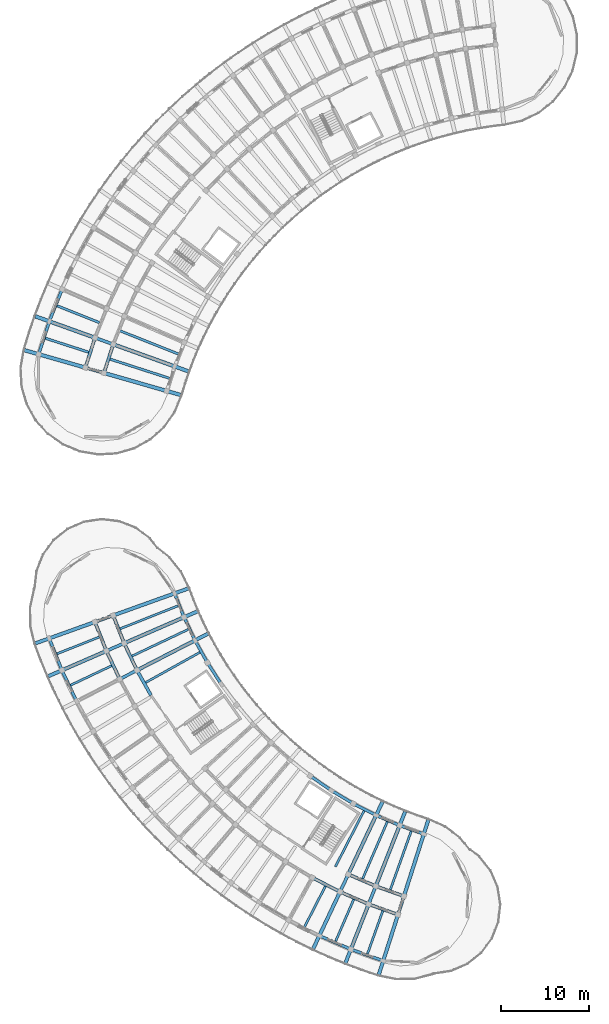
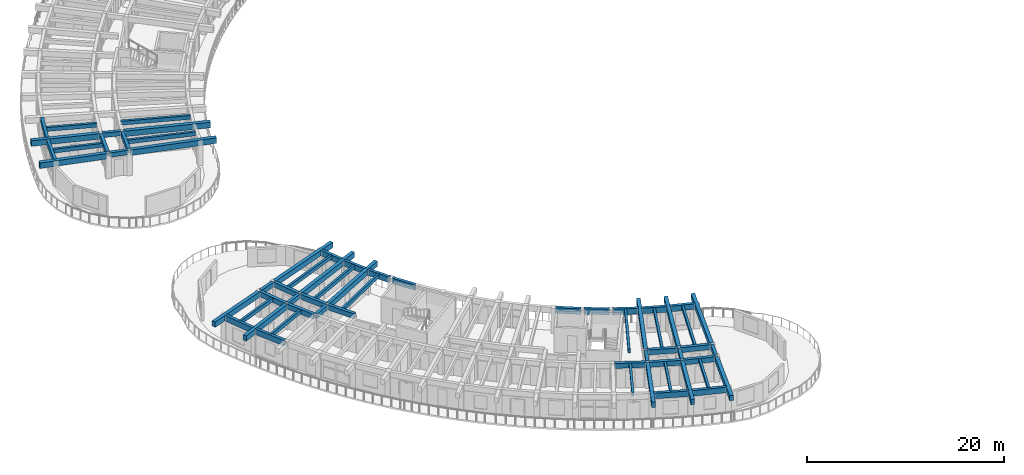
# One storey, part 8 of 78: 65 beams.
"""IFC4 building model written with IfcOpenShell, lengths in metres."""

import ifcopenshell
import ifcopenshell.guid

model = None  # the IFC model being written
_history = None  # IfcOwnerHistory: only IFC2X3 demands one
_inside = {}  # id of a spatial element -> (the spatial element, [elements in it])
_under = {}  # id of a project, library or spatial element -> (it, [spatial elements below it])
_declared = {}  # id of a project -> (the project, [libraries it declares])
_typed = {}  # id of a type object -> (the type object, [elements of that type])
_made_of = {}  # id of a material, layer set ... -> (it, [elements and type objects made of it])


def new_model(schema):
    """Start an empty IFC model of exactly this schema.

    Asked for "IFC4X3", IfcOpenShell would pick the latest addendum, in which some entities
    have other attributes; the version numbers below select the first issue.
    IFC2X3 requires an IfcOwnerHistory on every rooted entity: one is made here for all.
    """
    global model, _history
    if schema == "IFC4X3":
        model = ifcopenshell.file(schema_version=(4, 3, 0, 0))
    else:
        model = ifcopenshell.file(schema=schema)
    _inside.clear()
    _under.clear()
    _declared.clear()
    _typed.clear()
    _made_of.clear()
    _history = None
    if model.schema == "IFC2X3":
        org = make("IfcOrganization", Name="unknown")
        user = make(
            "IfcPersonAndOrganization",
            ThePerson=make("IfcPerson", FamilyName="unknown"),
            TheOrganization=org,
        )
        app = make(
            "IfcApplication",
            ApplicationDeveloper=org,
            Version="unknown",
            ApplicationFullName="unknown",
            ApplicationIdentifier="unknown",
        )
        _history = make(
            "IfcOwnerHistory",
            OwningUser=user,
            OwningApplication=app,
            ChangeAction="ADDED",
            CreationDate=0,
        )
    return model


def make(cls, **values):
    """One entity of the class cls with the attributes given. An attribute that is None is left unset."""
    return model.create_entity(
        cls, **{name: value for name, value in values.items() if value is not None}
    )


def rooted(cls, **values):
    """An entity with a GlobalId (a new one), such as an element, a storey or a relation."""
    return make(cls, GlobalId=ifcopenshell.guid.new(), OwnerHistory=_history, **values)


def si_unit(unit_type, name, prefix=None):
    """IfcSIUnit, for example si_unit("LENGTHUNIT", "METRE", prefix="MILLI")."""
    return make("IfcSIUnit", UnitType=unit_type, Prefix=prefix, Name=name)


def assignment(units):
    """IfcUnitAssignment: the units of a project."""
    return None if units is None else make("IfcUnitAssignment", Units=units)


def point(xyz):
    """IfcCartesianPoint."""
    return None if xyz is None else make("IfcCartesianPoint", Coordinates=xyz)


def direction(xyz):
    """IfcDirection."""
    return None if xyz is None else make("IfcDirection", DirectionRatios=xyz)


def frame(location, z_axis=None, x_axis=None):
    """IfcAxis2Placement3D, a coordinate frame: its origin and axes. An axis left out is left unset."""
    return make(
        "IfcAxis2Placement3D",
        Location=point(location),
        Axis=direction(z_axis),
        RefDirection=direction(x_axis),
    )


def frame_2d(location, x_axis=None):
    """IfcAxis2Placement2D, a coordinate frame in the plane: its origin and x axis."""
    return make(
        "IfcAxis2Placement2D", Location=point(location), RefDirection=direction(x_axis)
    )


def origin():
    """The frame at (0, 0, 0) with its axes left unset."""
    return frame((0.0, 0.0, 0.0))


def origin_2d():
    """The frame at (0, 0) in the plane with its x axis left unset."""
    return frame_2d((0.0, 0.0))


def place(relative_to, where):
    """IfcLocalPlacement: puts the frame where relative to a parent placement (None: the world)."""
    return make(
        "IfcLocalPlacement", PlacementRelTo=relative_to, RelativePlacement=where
    )


def context(
    kind, dimensions, precision=None, world=None, true_north=None, identifier=None
):
    """IfcGeometricRepresentationContext, for example the 3D "Model" context."""
    return make(
        "IfcGeometricRepresentationContext",
        ContextIdentifier=identifier,
        ContextType=kind,
        CoordinateSpaceDimension=dimensions,
        Precision=precision,
        WorldCoordinateSystem=world,
        TrueNorth=true_north,
    )


def subcontext(parent, identifier, kind, view, scale=None):
    """IfcGeometricRepresentationSubContext, for example "Body" below "Model"."""
    return make(
        "IfcGeometricRepresentationSubContext",
        ContextIdentifier=identifier,
        ContextType=kind,
        ParentContext=parent,
        TargetScale=scale,
        TargetView=view,
    )


def project(units=None, contexts=None):
    """IfcProject with its units and contexts."""
    return rooted(
        "IfcProject",
        Name="project",
        RepresentationContexts=contexts,
        UnitsInContext=assignment(units),
    )


def spatial(cls, under=None, at=None, **own):
    """A site, building, storey or space (cls), placed at a placement, below another one or the project."""
    s = rooted(cls, ObjectPlacement=at, **own)
    if under is not None:
        _under.setdefault(under.id(), (under, []))[1].append(s)
    return s


def profile(cls, at=None, kind="AREA", **sizes):
    """A parametric profile (cls). Its sizes go by their IFC names, for example OverallWidth=200.0."""
    return make(cls, ProfileType=kind, Position=at, **sizes)


def rectangle(**sizes):
    """IfcRectangleProfileDef."""
    return profile("IfcRectangleProfileDef", **sizes)


def extrude(swept, where, along, depth):
    """IfcExtrudedAreaSolid: the profile swept, set in the frame where, extruded along a direction by depth."""
    return make(
        "IfcExtrudedAreaSolid",
        SweptArea=swept,
        Position=where,
        ExtrudedDirection=direction(along),
        Depth=depth,
    )


def shape(context_of_items, identifier, shape_type, items):
    """IfcShapeRepresentation: the items that make up one representation, for example the "Body"."""
    return make(
        "IfcShapeRepresentation",
        ContextOfItems=context_of_items,
        RepresentationIdentifier=identifier,
        RepresentationType=shape_type,
        Items=items,
    )


def material(Name=None, Category=None):
    """IfcMaterial."""
    return make("IfcMaterial", Name=Name, Category=Category)


def material_profile(
    of_material, cross_section, Name=None, Category=None, Priority=None
):
    """IfcMaterialProfile: a cross section and its material."""
    return make(
        "IfcMaterialProfile",
        Name=Name,
        Material=of_material,
        Profile=cross_section,
        Priority=Priority,
        Category=Category,
    )


def profile_set(profiles, Name=None, composite=None):
    """IfcMaterialProfileSet."""
    return make(
        "IfcMaterialProfileSet",
        Name=Name,
        MaterialProfiles=profiles,
        CompositeProfile=composite,
    )


def made_of(thing, what):
    """Note that an element or type object is made of a material, layer set ...; save() writes the relation."""
    if what is not None:
        _made_of.setdefault(what.id(), (what, []))[1].append(thing)
    return thing


def type_object(cls, material=None, **own):
    """A type object (cls), such as IfcWallType, which elements share."""
    return made_of(rooted(cls, **own), material)


def element(
    cls,
    number,
    at=None,
    inside=None,
    cuts=None,
    type_object=None,
    material=None,
    context=None,
    identifier="Body",
    shape_type=None,
    held_by="IfcProductDefinitionShape",
    body=None,
    shapes=None,
    **own,
):
    """One element of the class cls, such as IfcWall. Its Tag is "e" and its number.

    at: its placement. inside: the storey or other place that contains it. cuts: it is an
    opening in that element (IfcRelVoidsElement). A single representation is given by context,
    identifier, shape_type and body (its items); several are given by shapes. held_by: the class
    of the entity that holds the representations. save() writes the other relations.
    """
    e = rooted(cls, Tag="e%d" % number, ObjectPlacement=at, **own)
    if body is not None:
        shapes = [shape(context, identifier, shape_type, body)]
    if shapes is not None:
        e.Representation = make(held_by, Representations=shapes)
    if inside is not None:
        _inside.setdefault(inside.id(), (inside, []))[1].append(e)
    if cuts is not None:
        rooted(
            "IfcRelVoidsElement", RelatingBuildingElement=cuts, RelatedOpeningElement=e
        )
    if type_object is not None:
        _typed.setdefault(type_object.id(), (type_object, []))[1].append(e)
    return made_of(e, material)


def aggregate(whole, parts):
    """IfcRelAggregates: a whole, such as a stair, and the parts it consists of."""
    return rooted("IfcRelAggregates", RelatingObject=whole, RelatedObjects=parts)


def save(model, path):
    """Write the relations noted so far, then the file.

    IfcRelAggregates (storeys below a building ...), IfcRelContainedInSpatialStructure (elements
    in a storey), IfcRelDefinesByType, IfcRelAssociatesMaterial and IfcRelDeclares: one each for
    every whole, place, type object, material and project.
    """
    for whole, parts in _under.values():
        aggregate(whole, parts)
    for where, things in _inside.values():
        rooted(
            "IfcRelContainedInSpatialStructure",
            RelatedElements=things,
            RelatingStructure=where,
        )
    for kind, things in _typed.values():
        rooted("IfcRelDefinesByType", RelatedObjects=things, RelatingType=kind)
    for what, things in _made_of.values():
        rooted("IfcRelAssociatesMaterial", RelatedObjects=things, RelatingMaterial=what)
    for by, libraries in _declared.values():
        rooted("IfcRelDeclares", RelatingContext=by, RelatedDefinitions=libraries)
    model.write(path)


model = new_model("IFC4")

# Units and contexts
model_context = context("Model", 3, precision=1e-05, world=origin(), true_north=direction((0.0, 1.0)))
body_context = subcontext(model_context, "Body", "Model", "MODEL_VIEW")
ifc_project = project(units=[si_unit("LENGTHUNIT", "METRE"), si_unit("AREAUNIT", "SQUARE_METRE"), si_unit("VOLUMEUNIT", "CUBIC_METRE"), si_unit("PLANEANGLEUNIT", "RADIAN"), si_unit("MASSUNIT", "GRAM", prefix="KILO")], contexts=[model_context])

# Site, building, storey
site_placement = place(None, origin())
site = spatial("IfcSite", under=ifc_project, at=site_placement, CompositionType="ELEMENT")
building_placement = place(site_placement, origin())
building = spatial("IfcBuilding", under=site, at=building_placement, Name="Tanwirah Colonnade Gardens", CompositionType="ELEMENT")
storey_placement = place(building_placement, frame((0.0, 0.0, 22.280029296875)))
storey = spatial("IfcBuildingStorey", under=building, at=storey_placement, Name="L06", CompositionType="ELEMENT", Elevation=22.280029296875)

# Beams
ifc_material_1 = material(Name="Precast concrete C40/50", Category="concrete")
ifc_material_profile_1 = material_profile(ifc_material_1, rectangle(XDim=0.360107421875, YDim=0.610107421875, at=origin_2d()), Name="PC-BM 360x610")
ifc_profile_set_1 = profile_set([ifc_material_profile_1], Name="Precast concrete C40/50")
beam_type_1 = type_object("IfcBeamType", Name="BM-PC300", PredefinedType="BEAM", material=ifc_profile_set_1)
beam_1_placement = place(storey_placement, frame((16.25537109375, 46.839599609375, 2.804931640625), z_axis=(0.368544574427, -0.929610077753, 0.0), x_axis=(0.929610077753, 0.368544574427, 0.0)))
element("IfcBeam", 1, at=beam_1_placement, inside=storey, type_object=beam_type_1, Name="Block C L06 Circumferential Beam 1-R1", PredefinedType="BEAM", context=body_context, shape_type="SweptSolid", body=[
    extrude(rectangle(XDim=0.360107421875, YDim=0.610107421875, at=origin_2d()), origin(), (0.0, 0.0, 1.0), 3.093017578125),
])
beam_2_placement = place(storey_placement, frame((14.184814453125, 46.09619140625, 2.804931640625), z_axis=(0.368527954052, -0.929616666741, 0.0), x_axis=(0.929616666741, 0.368527954052, 0.0)))
element("IfcBeam", 2, at=beam_2_placement, inside=storey, type_object=beam_type_1, Name="Block C L06 Circumferential Beam 1-R2", PredefinedType="BEAM", context=body_context, shape_type="SweptSolid", body=[
    extrude(rectangle(XDim=0.360107421875, YDim=0.610107421875, at=origin_2d()), origin(), (0.0, 0.0, 1.0), 3.23681640625),
])
beam_3_placement = place(storey_placement, frame((17.5146484375, 43.689453125, 2.804931640625), z_axis=(0.428520598641, -0.903532011907, 0.0), x_axis=(0.903532011907, 0.428520598641, 0.0)))
element("IfcBeam", 3, at=beam_3_placement, inside=storey, type_object=beam_type_1, Name="Block C L06 Circumferential Beam 2-R1", PredefinedType="BEAM", context=body_context, shape_type="SweptSolid", body=[
    extrude(rectangle(XDim=0.360107421875, YDim=0.610107421875, at=origin_2d()), origin(), (0.0, 0.0, 1.0), 3.093017578125),
])
beam_4_placement = place(storey_placement, frame((15.4970703125, 42.81201171875, 2.804931640625), z_axis=(0.428562893949, -0.903511951183, 0.0), x_axis=(0.903511951183, 0.428562893949, 0.0)))
element("IfcBeam", 4, at=beam_4_placement, inside=storey, type_object=beam_type_1, Name="Block C L06 Circumferential Beam 2-R2", PredefinedType="BEAM", context=body_context, shape_type="SweptSolid", body=[
    extrude(rectangle(XDim=0.360107421875, YDim=0.610107421875, at=origin_2d()), origin(), (0.0, 0.0, 1.0), 3.23681640625),
])
beam_5_placement = place(storey_placement, frame((18.9775390625, 40.628173828125, 2.804931640625), z_axis=(0.486708181837, -0.873564620239, 0.0), x_axis=(0.873564620239, 0.486708181837, 0.0)))
element("IfcBeam", 5, at=beam_5_placement, inside=storey, type_object=beam_type_1, Name="Block C L06 Circumferential Beam 3-R1", PredefinedType="BEAM", context=body_context, shape_type="SweptSolid", body=[
    extrude(rectangle(XDim=0.360107421875, YDim=0.610107421875, at=origin_2d()), origin(), (0.0, 0.0, 1.0), 3.093017578125),
])
beam_6_placement = place(storey_placement, frame((38.929443359375, 17.158447265625, 2.804931640625), z_axis=(0.890025451153, -0.45591084249, 0.0), x_axis=(0.45591084249, 0.890025451153, 0.0)))
element("IfcBeam", 6, at=beam_6_placement, inside=storey, type_object=beam_type_1, Name="Block C L06 Circumferential Beam 12-R2", PredefinedType="BEAM", context=body_context, shape_type="SweptSolid", body=[
    extrude(rectangle(XDim=0.360107421875, YDim=0.610107421875, at=origin_2d()), origin(), (0.0, 0.0, 1.0), 3.237060546875),
])
beam_7_placement = place(storey_placement, frame((43.02001953125, 17.54443359375, 2.804931640625), z_axis=(0.917936292782, -0.396727819032, 0.0), x_axis=(0.396727819032, 0.917936292782, 0.0)))
element("IfcBeam", 7, at=beam_7_placement, inside=storey, type_object=beam_type_1, Name="Block C L06 Circumferential Beam 13-R1", PredefinedType="BEAM", context=body_context, shape_type="SweptSolid", body=[
    extrude(rectangle(XDim=0.360107421875, YDim=0.610107421875, at=origin_2d()), origin(), (0.0, 0.0, 1.0), 3.093017578125),
])
beam_8_placement = place(storey_placement, frame((42.08154296875, 15.5546875, 2.804931640625), z_axis=(0.917943156181, -0.396711938338, 0.0), x_axis=(0.396711938338, 0.917943156181, 0.0)))
element("IfcBeam", 8, at=beam_8_placement, inside=storey, type_object=beam_type_1, Name="Block C L06 Circumferential Beam 13-R2", PredefinedType="BEAM", context=body_context, shape_type="SweptSolid", body=[
    extrude(rectangle(XDim=0.360107421875, YDim=0.610107421875, at=origin_2d()), origin(), (0.0, 0.0, 1.0), 3.237060546875),
])
beam_9_placement = place(storey_placement, frame((46.13818359375, 16.20751953125, 2.804931640625), z_axis=(0.941911444877, -0.335861325564, 0.0), x_axis=(0.335861325564, 0.941911444877, 0.0)))
element("IfcBeam", 9, at=beam_9_placement, inside=storey, type_object=beam_type_1, Name="Block C L06 Circumferential Beam 14-R1", PredefinedType="BEAM", context=body_context, shape_type="SweptSolid", body=[
    extrude(rectangle(XDim=0.360107421875, YDim=0.610107421875, at=origin_2d()), origin(), (0.0, 0.0, 1.0), 3.093017578125),
])
beam_10_placement = place(storey_placement, frame((45.331787109375, 14.16064453125, 2.804931640625), z_axis=(0.941917534978, -0.335844245597, 0.0), x_axis=(0.335844245597, 0.941917534978, 0.0)))
element("IfcBeam", 10, at=beam_10_placement, inside=storey, type_object=beam_type_1, Name="Block C L06 Circumferential Beam 14-R2", PredefinedType="BEAM", context=body_context, shape_type="SweptSolid", body=[
    extrude(rectangle(XDim=0.360107421875, YDim=0.610107421875, at=origin_2d()), origin(), (0.0, 0.0, 1.0), 3.237060546875),
])
ifc_material_profile_2 = material_profile(ifc_material_1, rectangle(XDim=0.35009765625, YDim=0.550048828125, at=origin_2d()), Name="PC-BM 350x550")
ifc_profile_set_2 = profile_set([ifc_material_profile_2], Name="Precast concrete C40/50")
beam_type_2 = type_object("IfcBeamType", Name="BM-PC350A", PredefinedType="BEAM", material=ifc_profile_set_2)
for number, where, z_axis, x_axis, name in (
    (11, (16.0673828125, 77.79541015625, 2.8349609375), (-0.941021664552, 0.338346311999, 0.0), (-0.338346311999, -0.941021664552, 0.0), "Block A L06 Corridor Tie Beam 17"),
    (12, (15.014404296875, 74.533203125, 2.8349609375), (-0.961266538157, 0.275620468433, 0.0), (-0.275620468433, -0.961266538157, 0.0), "Block A L06 Corridor Tie Beam 18"),
    (13, (16.058837890625, 46.92822265625, 2.8349609375), (-0.941214575511, -0.337809299525, 0.0), (0.337809299525, -0.941214575511, 0.0), "Block C L06 Corridor Tie Beam 1"),
):
    element("IfcBeam", number, at=place(storey_placement, frame(where, z_axis=z_axis, x_axis=x_axis)), inside=storey, type_object=beam_type_2, Name=name, PredefinedType="BEAM", context=body_context, shape_type="SweptSolid", body=[
        extrude(rectangle(XDim=0.35009765625, YDim=0.550048828125, at=origin_2d()), origin(), (0.0, 0.0, 1.0), 1.89990234375),
    ])
beam_11_placement = place(storey_placement, frame((17.31298828125, 43.76513671875, 2.8349609375), z_axis=(-0.917025109963, -0.398829471952, 0.0), x_axis=(0.398829471952, -0.917025109963, 0.0)))
element("IfcBeam", 14, at=beam_11_placement, inside=storey, type_object=beam_type_2, Name="Block C L06 Corridor Tie Beam 2", PredefinedType="BEAM", context=body_context, shape_type="SweptSolid", body=[
    extrude(rectangle(XDim=0.35009765625, YDim=0.550048828125, at=origin_2d()), origin(), (0.0, 0.0, 1.0), 1.900146484375),
])
for number, where, z_axis, x_axis, name in (
    (15, (18.77099609375, 40.690673828125, 2.8349609375), (-0.888965044602, -0.457975053334, 0.0), (0.457975053334, -0.888965044602, 0.0), "Block C L06 Corridor Tie Beam 3"),
    (16, (42.818359375, 17.46826171875, 2.8349609375), (-0.426483812015, -0.904495195172, 0.0), (0.904495195172, -0.426483812015, 0.0), "Block C L06 Corridor Tie Beam 13"),
):
    element("IfcBeam", number, at=place(storey_placement, frame(where, z_axis=z_axis, x_axis=x_axis)), inside=storey, type_object=beam_type_2, Name=name, PredefinedType="BEAM", context=body_context, shape_type="SweptSolid", body=[
        extrude(rectangle(XDim=0.35009765625, YDim=0.550048828125, at=origin_2d()), origin(), (0.0, 0.0, 1.0), 1.89990234375),
    ])
beam_12_placement = place(storey_placement, frame((45.94189453125, 16.1181640625, 2.8349609375), z_axis=(-0.366511033969, -0.930413704746, 0.0), x_axis=(0.930413704746, -0.366511033969, 0.0)))
element("IfcBeam", 17, at=beam_12_placement, inside=storey, type_object=beam_type_2, Name="Block C L06 Corridor Tie Beam 14", PredefinedType="BEAM", context=body_context, shape_type="SweptSolid", body=[
    extrude(rectangle(XDim=0.35009765625, YDim=0.550048828125, at=origin_2d()), origin(), (0.0, 0.0, 1.0), 1.899658203125),
])
beam_13_placement = place(storey_placement, frame((49.14697265625, 14.975341796875, 2.8349609375), z_axis=(-0.304794376797, -0.952418179096, 0.0), x_axis=(0.952418179096, -0.304794376797, 0.0)))
element("IfcBeam", 18, at=beam_13_placement, inside=storey, type_object=beam_type_2, Name="Block C L06 Corridor Tie Beam 15", PredefinedType="BEAM", context=body_context, shape_type="SweptSolid", body=[
    extrude(rectangle(XDim=0.35009765625, YDim=0.550048828125, at=origin_2d()), origin(), (0.0, 0.0, 1.0), 1.89990234375),
])
ifc_material_profile_3 = material_profile(ifc_material_1, rectangle(XDim=0.35009765625, YDim=0.60009765625, at=origin_2d()), Name="PC-BM 350x600")
ifc_profile_set_3 = profile_set([ifc_material_profile_3], Name="Precast concrete C40/50")
beam_type_3 = type_object("IfcBeamType", Name="BM-PC350B", PredefinedType="BEAM", material=ifc_profile_set_3)
beam_14_placement = place(storey_placement, frame((16.162353515625, 77.601806640625, 2.81005859375), z_axis=(-0.307169780148, -0.951654730542, 0.0), x_axis=(0.951654730542, -0.307169780148, 0.0)))
element("IfcBeam", 19, at=beam_14_placement, inside=storey, type_object=beam_type_3, Name="Block A L06 Circumferential Beam 17-R1", PredefinedType="BEAM", context=body_context, shape_type="SweptSolid", body=[
    extrude(rectangle(XDim=0.35009765625, YDim=0.60009765625, at=origin_2d()), origin(), (0.0, 0.0, 1.0), 3.117919921875),
])
beam_15_placement = place(storey_placement, frame((14.09228515625, 78.34619140625, 2.81005859375), z_axis=(-0.307212636327, -0.9516408966, 0.0), x_axis=(0.9516408966, -0.307212636327, 0.0)))
element("IfcBeam", 20, at=beam_15_placement, inside=storey, type_object=beam_type_3, Name="Block A L06 Circumferential Beam 17-R2", PredefinedType="BEAM", context=body_context, shape_type="SweptSolid", body=[
    extrude(rectangle(XDim=0.35009765625, YDim=0.60009765625, at=origin_2d()), origin(), (0.0, 0.0, 1.0), 3.262939453125),
])
ifc_material_2 = material(Name="Precast concrete C45/55", Category="concrete")
ifc_material_profile_4 = material_profile(ifc_material_2, rectangle(XDim=0.39990234375, YDim=0.64990234375, at=origin_2d()), Name="PC-BM 400x650")
ifc_profile_set_4 = profile_set([ifc_material_profile_4], Name="Precast concrete C45/55")
beam_type_4 = type_object("IfcBeamType", Name="BM-PC400", PredefinedType="BEAM", material=ifc_profile_set_4)
beam_16_placement = place(storey_placement, frame((16.34130859375, 47.02978515625, 2.784912109375), z_axis=(0.941180212187, 0.337905028356, 0.0), x_axis=(-0.337905028356, 0.941180212187, 0.0)))
element("IfcBeam", 21, at=beam_16_placement, inside=storey, type_object=beam_type_4, Name="Block C L06 Inner Radial Precast Girder 1", PredefinedType="BEAM", context=body_context, shape_type="SweptSolid", body=[
    extrude(rectangle(XDim=0.39990234375, YDim=0.64990234375, at=origin_2d()), origin(), (0.0, 0.0, 1.0), 8.94970703125),
])
beam_17_placement = place(storey_placement, frame((13.98828125, 46.184814453125, 2.784912109375), z_axis=(-0.941174903614, -0.337919814168, 0.0), x_axis=(0.337919814168, -0.941174903614, 0.0)))
element("IfcBeam", 22, at=beam_17_placement, inside=storey, type_object=beam_type_4, Name="Block C L06 Outer Radial Precast Girder 1", PredefinedType="BEAM", context=body_context, shape_type="SweptSolid", body=[
    extrude(rectangle(XDim=0.39990234375, YDim=0.64990234375, at=origin_2d()), origin(), (0.0, 0.0, 1.0), 7.050048828125),
])
beam_18_placement = place(storey_placement, frame((17.587890625, 43.884765625, 2.784912109375), z_axis=(0.917069622575, 0.398727108872, 0.0), x_axis=(-0.398727108872, 0.917069622575, 0.0)))
element("IfcBeam", 23, at=beam_18_placement, inside=storey, type_object=beam_type_4, Name="Block C L06 Inner Radial Precast Girder 2", PredefinedType="BEAM", context=body_context, shape_type="SweptSolid", body=[
    extrude(rectangle(XDim=0.39990234375, YDim=0.64990234375, at=origin_2d()), origin(), (0.0, 0.0, 1.0), 8.949951171875),
])
beam_19_placement = place(storey_placement, frame((15.29541015625, 42.8876953125, 2.784912109375), z_axis=(-0.91706895514, -0.398728643965, 0.0), x_axis=(0.398728643965, -0.91706895514, 0.0)))
element("IfcBeam", 24, at=beam_19_placement, inside=storey, type_object=beam_type_4, Name="Block C L06 Outer Radial Precast Girder 2", PredefinedType="BEAM", context=body_context, shape_type="SweptSolid", body=[
    extrude(rectangle(XDim=0.39990234375, YDim=0.64990234375, at=origin_2d()), origin(), (0.0, 0.0, 1.0), 7.050048828125),
])
for number, where, z_axis, x_axis, name in (
    (25, (19.037841796875, 40.827880859375, 2.784912109375), (0.889022337846, 0.457863825619, 0.0), (-0.457863825619, 0.889022337846, 0.0), "Block C L06 Inner Radial Precast Girder 3"),
    (26, (42.9462890625, 17.73974609375, 2.784912109375), (0.426582468098, 0.904448670689, 0.0), (-0.904448670689, 0.426582468098, 0.0), "Block C L06 Inner Radial Precast Girder 13"),
):
    element("IfcBeam", number, at=place(storey_placement, frame(where, z_axis=z_axis, x_axis=x_axis)), inside=storey, type_object=beam_type_4, Name=name, PredefinedType="BEAM", context=body_context, shape_type="SweptSolid", body=[
        extrude(rectangle(XDim=0.39990234375, YDim=0.64990234375, at=origin_2d()), origin(), (0.0, 0.0, 1.0), 8.949951171875),
    ])
beam_20_placement = place(storey_placement, frame((41.8798828125, 15.478515625, 2.784912109375), z_axis=(-0.426567365945, -0.904455793453, 0.0), x_axis=(0.904455793453, -0.426567365945, 0.0)))
element("IfcBeam", 27, at=beam_20_placement, inside=storey, type_object=beam_type_4, Name="Block C L06 Outer Radial Precast Girder 13", PredefinedType="BEAM", context=body_context, shape_type="SweptSolid", body=[
    extrude(rectangle(XDim=0.39990234375, YDim=0.64990234375, at=origin_2d()), origin(), (0.0, 0.0, 1.0), 7.050048828125),
])
beam_21_placement = place(storey_placement, frame((46.052001953125, 16.3974609375, 2.784912109375), z_axis=(0.36648945479, 0.930422204984, 0.0), x_axis=(-0.930422204984, 0.36648945479, 0.0)))
element("IfcBeam", 28, at=beam_21_placement, inside=storey, type_object=beam_type_4, Name="Block C L06 Inner Radial Precast Girder 14", PredefinedType="BEAM", context=body_context, shape_type="SweptSolid", body=[
    extrude(rectangle(XDim=0.39990234375, YDim=0.64990234375, at=origin_2d()), origin(), (0.0, 0.0, 1.0), 8.949951171875),
])
beam_22_placement = place(storey_placement, frame((45.1357421875, 14.0712890625, 2.784912109375), z_axis=(-0.366525426804, -0.930408034953, 0.0), x_axis=(0.930408034953, -0.366525426804, 0.0)))
element("IfcBeam", 29, at=beam_22_placement, inside=storey, type_object=beam_type_4, Name="Block C L06 Outer Radial Precast Girder 14", PredefinedType="BEAM", context=body_context, shape_type="SweptSolid", body=[
    extrude(rectangle(XDim=0.39990234375, YDim=0.64990234375, at=origin_2d()), origin(), (0.0, 0.0, 1.0), 7.050048828125),
])
beam_23_placement = place(storey_placement, frame((49.238525390625, 15.26123046875, 2.784912109375), z_axis=(0.304862826508, 0.952396270999, 0.0), x_axis=(-0.952396270999, 0.304862826508, 0.0)))
element("IfcBeam", 30, at=beam_23_placement, inside=storey, type_object=beam_type_4, Name="Block C L06 Inner Radial Precast Girder 15", PredefinedType="BEAM", context=body_context, shape_type="SweptSolid", body=[
    extrude(rectangle(XDim=0.39990234375, YDim=0.64990234375, at=origin_2d()), origin(), (0.0, 0.0, 1.0), 8.949951171875),
])
beam_24_placement = place(storey_placement, frame((48.476318359375, 12.880126953125, 2.784912109375), z_axis=(-0.304849862001, -0.952400420851, 0.0), x_axis=(0.952400420851, -0.304849862001, 0.0)))
element("IfcBeam", 31, at=beam_24_placement, inside=storey, type_object=beam_type_4, Name="Block C L06 Outer Radial Precast Girder 15", PredefinedType="BEAM", context=body_context, shape_type="SweptSolid", body=[
    extrude(rectangle(XDim=0.39990234375, YDim=0.64990234375, at=origin_2d()), origin(), (0.0, 0.0, 1.0), 7.050048828125),
])
ifc_material_profile_5 = material_profile(ifc_material_2, rectangle(XDim=0.419921875, YDim=0.679931640625, at=origin_2d()), Name="PC-BM 420x680")
ifc_profile_set_5 = profile_set([ifc_material_profile_5], Name="Precast concrete C45/55")
beam_type_5 = type_object("IfcBeamType", Name="BM-PC420", PredefinedType="BEAM", material=ifc_profile_set_5)
beam_25_placement = place(storey_placement, frame((16.349609375, 77.69384765625, 2.77001953125), z_axis=(0.941017049702, -0.338359146723, 0.0), x_axis=(0.338359146723, 0.941017049702, 0.0)))
element("IfcBeam", 32, at=beam_25_placement, inside=storey, type_object=beam_type_5, Name="Block A L06 Inner Radial Precast Girder 17", PredefinedType="BEAM", context=body_context, shape_type="SweptSolid", body=[
    extrude(rectangle(XDim=0.419921875, YDim=0.679931640625, at=origin_2d()), origin(), (0.0, 0.0, 1.0), 8.949951171875),
])
beam_26_placement = place(storey_placement, frame((13.9970703125, 78.539794921875, 2.77001953125), z_axis=(-0.941011841171, 0.338373631917, 0.0), x_axis=(-0.338373631917, -0.941011841171, 0.0)))
element("IfcBeam", 33, at=beam_26_placement, inside=storey, type_object=beam_type_5, Name="Block A L06 Outer Radial Precast Girder 17", PredefinedType="BEAM", context=body_context, shape_type="SweptSolid", body=[
    extrude(rectangle(XDim=0.419921875, YDim=0.679931640625, at=origin_2d()), origin(), (0.0, 0.0, 1.0), 7.0498046875),
])
beam_27_placement = place(storey_placement, frame((15.302734375, 74.450439453125, 2.77001953125), z_axis=(0.961258954076, -0.275646917646, 0.0), x_axis=(0.275646917646, 0.961258954076, 0.0)))
element("IfcBeam", 34, at=beam_27_placement, inside=storey, type_object=beam_type_5, Name="Block A L06 Inner Radial Precast Girder 18", PredefinedType="BEAM", context=body_context, shape_type="SweptSolid", body=[
    extrude(rectangle(XDim=0.419921875, YDim=0.679931640625, at=origin_2d()), origin(), (0.0, 0.0, 1.0), 8.949951171875),
])
beam_28_placement = place(storey_placement, frame((12.899658203125, 75.1396484375, 2.77001953125), z_axis=(-0.961266085595, 0.275622046806, 0.0), x_axis=(-0.275622046806, -0.961266085595, 0.0)))
element("IfcBeam", 35, at=beam_28_placement, inside=storey, type_object=beam_type_5, Name="Block A L06 Outer Radial Precast Girder 18", PredefinedType="BEAM", context=body_context, shape_type="SweptSolid", body=[
    extrude(rectangle(XDim=0.419921875, YDim=0.679931640625, at=origin_2d()), origin(), (0.0, 0.0, 1.0), 7.0498046875),
])
ifc_material_profile_6 = material_profile(ifc_material_1, rectangle(XDim=0.25, YDim=0.449951171875, at=origin_2d()), Name="PC-JST 250x450")
ifc_profile_set_6 = profile_set([ifc_material_profile_6], Name="Precast concrete C40/50")
beam_type_6 = type_object("IfcBeamType", Name="JST-PC250", PredefinedType="JOIST", material=ifc_profile_set_6)
beam_29_placement = place(storey_placement, frame((14.642822265625, 44.53662109375, 2.885009765625), z_axis=(-0.929618207145, -0.368524068338, 0.0), x_axis=(0.368524068338, -0.929618207145, 0.0)))
element("IfcBeam", 36, at=beam_29_placement, inside=storey, type_object=beam_type_6, Name="Block C L06 Precast Floor Joist 1", PredefinedType="JOIST", context=body_context, shape_type="SweptSolid", body=[
    extrude(rectangle(XDim=0.25, YDim=0.449951171875, at=origin_2d()), origin(), (0.0, 0.0, 1.0), 5.260009765625),
])
beam_30_placement = place(storey_placement, frame((23.567138671875, 48.07470703125, 2.885009765625), z_axis=(-0.929619798141, -0.368520054956, 0.0), x_axis=(0.368520054956, -0.929619798141, 0.0)))
element("IfcBeam", 37, at=beam_30_placement, inside=storey, type_object=beam_type_6, Name="Block C L06 Inner Precast Floor Joist 1", PredefinedType="JOIST", context=body_context, shape_type="SweptSolid", body=[
    extrude(rectangle(XDim=0.25, YDim=0.449951171875, at=origin_2d()), origin(), (0.0, 0.0, 1.0), 7.16015625),
])
beam_31_placement = place(storey_placement, frame((16.05615234375, 41.285888671875, 2.885009765625), z_axis=(-0.903517509842, -0.428551174785, 0.0), x_axis=(0.428551174785, -0.903517509842, 0.0)))
element("IfcBeam", 38, at=beam_31_placement, inside=storey, type_object=beam_type_6, Name="Block C L06 Precast Floor Joist 2", PredefinedType="JOIST", context=body_context, shape_type="SweptSolid", body=[
    extrude(rectangle(XDim=0.25, YDim=0.449951171875, at=origin_2d()), origin(), (0.0, 0.0, 1.0), 5.260009765625),
])
for number, where, z_axis, x_axis, name in (
    (39, (24.72998046875, 45.39990234375, 2.885009765625), (-0.903522492189, -0.428540670308, 0.0), (0.428540670308, -0.903522492189, 0.0), "Block C L06 Inner Precast Floor Joist 2"),
    (40, (26.0654296875, 42.80712890625, 2.885009765625), (-0.873559899034, -0.486716655561, 0.0), (0.486716655561, -0.873559899034, 0.0), "Block C L06 Inner Precast Floor Joist 3"),
):
    element("IfcBeam", number, at=place(storey_placement, frame(where, z_axis=z_axis, x_axis=x_axis)), inside=storey, type_object=beam_type_6, Name=name, PredefinedType="JOIST", context=body_context, shape_type="SweptSolid", body=[
        extrude(rectangle(XDim=0.25, YDim=0.449951171875, at=origin_2d()), origin(), (0.0, 0.0, 1.0), 7.159912109375),
    ])
beam_32_placement = place(storey_placement, frame((40.302001953125, 16.287841796875, 2.885009765625), z_axis=(-0.455936851617, -0.890012127635, 0.0), x_axis=(0.890012127635, -0.455936851617, 0.0)))
element("IfcBeam", 41, at=beam_32_placement, inside=storey, type_object=beam_type_6, Name="Block C L06 Precast Floor Joist 12", PredefinedType="JOIST", context=body_context, shape_type="SweptSolid", body=[
    extrude(rectangle(XDim=0.25, YDim=0.449951171875, at=origin_2d()), origin(), (0.0, 0.0, 1.0), 5.260009765625),
])
beam_33_placement = place(storey_placement, frame((44.678955078125, 24.83203125, 2.885009765625), z_axis=(-0.455921327553, -0.890020080157, 0.0), x_axis=(0.890020080157, -0.455921327553, 0.0)))
element("IfcBeam", 42, at=beam_33_placement, inside=storey, type_object=beam_type_6, Name="Block C L06 Inner Precast Floor Joist 12", PredefinedType="JOIST", context=body_context, shape_type="SweptSolid", body=[
    extrude(rectangle(XDim=0.25, YDim=0.449951171875, at=origin_2d()), origin(), (0.0, 0.0, 1.0), 7.159912109375),
])
beam_34_placement = place(storey_placement, frame((43.50830078125, 14.77587890625, 2.885009765625), z_axis=(-0.396746282, -0.917928312952, 0.0), x_axis=(0.917928312952, -0.396746282, 0.0)))
element("IfcBeam", 43, at=beam_34_placement, inside=storey, type_object=beam_type_6, Name="Block C L06 Precast Floor Joist 13", PredefinedType="JOIST", context=body_context, shape_type="SweptSolid", body=[
    extrude(rectangle(XDim=0.25, YDim=0.449951171875, at=origin_2d()), origin(), (0.0, 0.0, 1.0), 5.260009765625),
])
beam_35_placement = place(storey_placement, frame((47.31689453125, 23.587890625, 2.885009765625), z_axis=(-0.396736454079, -0.917932560706, 0.0), x_axis=(0.917932560706, -0.396736454079, 0.0)))
element("IfcBeam", 44, at=beam_35_placement, inside=storey, type_object=beam_type_6, Name="Block C L06 Inner Precast Floor Joist 13", PredefinedType="JOIST", context=body_context, shape_type="SweptSolid", body=[
    extrude(rectangle(XDim=0.25, YDim=0.449951171875, at=origin_2d()), origin(), (0.0, 0.0, 1.0), 7.159912109375),
])
beam_36_placement = place(storey_placement, frame((46.806396484375, 13.4765625, 2.885009765625), z_axis=(-0.335862957845, -0.941910862846, 0.0), x_axis=(0.941910862846, -0.335862957845, 0.0)))
element("IfcBeam", 45, at=beam_36_placement, inside=storey, type_object=beam_type_6, Name="Block C L06 Precast Floor Joist 14", PredefinedType="JOIST", context=body_context, shape_type="SweptSolid", body=[
    extrude(rectangle(XDim=0.25, YDim=0.449951171875, at=origin_2d()), origin(), (0.0, 0.0, 1.0), 5.260009765625),
])
beam_37_placement = place(storey_placement, frame((50.030517578125, 22.51904296875, 2.885009765625), z_axis=(-0.335861148107, -0.941911508154, 0.0), x_axis=(0.941911508154, -0.335861148107, 0.0)))
element("IfcBeam", 46, at=beam_37_placement, inside=storey, type_object=beam_type_6, Name="Block C L06 Inner Precast Floor Joist 14", PredefinedType="JOIST", context=body_context, shape_type="SweptSolid", body=[
    extrude(rectangle(XDim=0.25, YDim=0.449951171875, at=origin_2d()), origin(), (0.0, 0.0, 1.0), 7.16015625),
])
ifc_material_profile_7 = material_profile(ifc_material_1, rectangle(XDim=0.280029296875, YDim=0.47998046875, at=origin_2d()), Name="PC-JST 280x480")
ifc_profile_set_7 = profile_set([ifc_material_profile_7], Name="Precast concrete C40/50")
beam_type_7 = type_object("IfcBeamType", Name="JST-PC280", PredefinedType="JOIST", material=ifc_profile_set_7)
beam_38_placement = place(storey_placement, frame((14.6572265625, 80.199951171875, 2.869873046875), z_axis=(-0.929357539836, 0.369180935517, 0.0), x_axis=(-0.369180935517, -0.929357539836, 0.0)))
element("IfcBeam", 47, at=beam_38_placement, inside=storey, type_object=beam_type_7, Name="Block A L06 Precast Floor Joist 16", PredefinedType="JOIST", context=body_context, shape_type="SweptSolid", body=[
    extrude(rectangle(XDim=0.280029296875, YDim=0.47998046875, at=origin_2d()), origin(), (0.0, 0.0, 1.0), 5.260009765625),
])
beam_39_placement = place(storey_placement, frame((23.578857421875, 76.655517578125, 2.869873046875), z_axis=(-0.929344232768, 0.369214432303, 0.0), x_axis=(-0.369214432303, -0.929344232768, 0.0)))
element("IfcBeam", 48, at=beam_39_placement, inside=storey, type_object=beam_type_7, Name="Block A L06 Inner Precast Floor Joist 16", PredefinedType="JOIST", context=body_context, shape_type="SweptSolid", body=[
    extrude(rectangle(XDim=0.280029296875, YDim=0.47998046875, at=origin_2d()), origin(), (0.0, 0.0, 1.0), 7.159912109375),
])
beam_40_placement = place(storey_placement, frame((13.448974609375, 76.839599609375, 2.869873046875), z_axis=(-0.951656985441, 0.307162794072, 0.0), x_axis=(-0.307162794072, -0.951656985441, 0.0)))
element("IfcBeam", 49, at=beam_40_placement, inside=storey, type_object=beam_type_7, Name="Block A L06 Precast Floor Joist 17", PredefinedType="JOIST", context=body_context, shape_type="SweptSolid", body=[
    extrude(rectangle(XDim=0.280029296875, YDim=0.47998046875, at=origin_2d()), origin(), (0.0, 0.0, 1.0), 5.26025390625),
])
beam_41_placement = place(storey_placement, frame((22.584716796875, 73.890625, 2.869873046875), z_axis=(-0.951647858625, 0.307191069489, 0.0), x_axis=(-0.307191069489, -0.951647858625, 0.0)))
element("IfcBeam", 50, at=beam_41_placement, inside=storey, type_object=beam_type_7, Name="Block A L06 Inner Precast Floor Joist 17", PredefinedType="JOIST", context=body_context, shape_type="SweptSolid", body=[
    extrude(rectangle(XDim=0.280029296875, YDim=0.47998046875, at=origin_2d()), origin(), (0.0, 0.0, 1.0), 7.159912109375),
])
ifc_material_profile_8 = material_profile(ifc_material_1, rectangle(XDim=0.330078125, YDim=0.68994140625, at=origin_2d()), Name="PC-SP 330x690")
ifc_profile_set_8 = profile_set([ifc_material_profile_8], Name="Precast concrete C40/50")
beam_type_8 = type_object("IfcBeamType", Name="SP-PC280", PredefinedType="SPANDREL", material=ifc_profile_set_8)
beam_42_placement = place(storey_placement, frame((23.219970703125, 49.340087890625, 2.764892578125), z_axis=(0.368549031306, -0.929608310808, 0.0), x_axis=(0.929608310808, 0.368549031306, 0.0)))
element("IfcBeam", 51, at=beam_42_placement, inside=storey, type_object=beam_type_8, Name="Block C L06 Circumferential Beam 1-R0", PredefinedType="SPANDREL", context=body_context, shape_type="SweptSolid", body=[
    extrude(rectangle(XDim=0.330078125, YDim=0.68994140625, at=origin_2d()), origin(), (0.0, 0.0, 1.0), 2.608642578125),
])
beam_43_placement = place(storey_placement, frame((9.00830078125, 44.237548828125, 2.764892578125), z_axis=(0.368521552478, -0.929619204491, 0.0), x_axis=(0.929619204491, 0.368521552478, 0.0)))
element("IfcBeam", 52, at=beam_43_placement, inside=storey, type_object=beam_type_8, Name="Block C L06 Circumferential Beam 1-R3", PredefinedType="SPANDREL", context=body_context, shape_type="SweptSolid", body=[
    extrude(rectangle(XDim=0.330078125, YDim=0.68994140625, at=origin_2d()), origin(), (0.0, 0.0, 1.0), 3.5966796875),
])
beam_44_placement = place(storey_placement, frame((24.301025390625, 46.64013671875, 2.764892578125), z_axis=(0.428512709915, -0.903535753272, 0.0), x_axis=(0.903535753272, 0.428512709915, 0.0)))
element("IfcBeam", 53, at=beam_44_placement, inside=storey, type_object=beam_type_8, Name="Block C L06 Circumferential Beam 2-R0", PredefinedType="SPANDREL", context=body_context, shape_type="SweptSolid", body=[
    extrude(rectangle(XDim=0.330078125, YDim=0.68994140625, at=origin_2d()), origin(), (0.0, 0.0, 1.0), 2.60888671875),
])
beam_45_placement = place(storey_placement, frame((10.453369140625, 40.618896484375, 2.764892578125), z_axis=(0.428518139447, -0.903533178231, 0.0), x_axis=(0.903533178231, 0.428518139447, 0.0)))
element("IfcBeam", 54, at=beam_45_placement, inside=storey, type_object=beam_type_8, Name="Block C L06 Circumferential Beam 2-R3", PredefinedType="SPANDREL", context=body_context, shape_type="SweptSolid", body=[
    extrude(rectangle(XDim=0.330078125, YDim=0.68994140625, at=origin_2d()), origin(), (0.0, 0.0, 1.0), 3.5966796875),
])
beam_46_placement = place(storey_placement, frame((25.55615234375, 44.016357421875, 2.764892578125), z_axis=(0.486747049114, -0.873542964129, 0.0), x_axis=(0.873542964129, 0.486747049114, 0.0)))
element("IfcBeam", 55, at=beam_46_placement, inside=storey, type_object=beam_type_8, Name="Block C L06 Circumferential Beam 3-R0", PredefinedType="SPANDREL", context=body_context, shape_type="SweptSolid", body=[
    extrude(rectangle(XDim=0.330078125, YDim=0.68994140625, at=origin_2d()), origin(), (0.0, 0.0, 1.0), 2.608642578125),
])
for number, where, z_axis, x_axis, name in (
    (56, (26.980224609375, 41.48046875, 2.764892578125), (0.542874837406, -0.83981361677, 0.0), (0.83981361677, 0.542874837406, 0.0), "Block C L06 Circumferential Beam 4-R0"),
    (57, (38.68359375, 28.683349609375, 2.764892578125), (0.822868771031, -0.568231454305, 0.0), (0.568231454305, 0.822868771031, 0.0), "Block C L06 Circumferential Beam 10-R0"),
):
    element("IfcBeam", number, at=place(storey_placement, frame(where, z_axis=z_axis, x_axis=x_axis)), inside=storey, type_object=beam_type_8, Name=name, PredefinedType="SPANDREL", context=body_context, shape_type="SweptSolid", body=[
        extrude(rectangle(XDim=0.330078125, YDim=0.68994140625, at=origin_2d()), origin(), (0.0, 0.0, 1.0), 2.60888671875),
    ])
for number, where, z_axis, x_axis, name in (
    (58, (41.08251953125, 27.038818359375, 2.764892578125), (0.858301131151, -0.513146341958, 0.0), (0.513146341958, 0.858301131151, 0.0), "Block C L06 Circumferential Beam 11-R0"),
    (59, (43.583740234375, 25.5546875, 2.764892578125), (0.890042438658, -0.455877678097, 0.0), (0.455877678097, 0.890042438658, 0.0), "Block C L06 Circumferential Beam 12-R0"),
    (60, (46.1767578125, 24.237548828125, 2.764892578125), (0.917901260915, -0.396808864833, 0.0), (0.396808864833, 0.917901260915, 0.0), "Block C L06 Circumferential Beam 13-R0"),
):
    element("IfcBeam", number, at=place(storey_placement, frame(where, z_axis=z_axis, x_axis=x_axis)), inside=storey, type_object=beam_type_8, Name=name, PredefinedType="SPANDREL", context=body_context, shape_type="SweptSolid", body=[
        extrude(rectangle(XDim=0.330078125, YDim=0.68994140625, at=origin_2d()), origin(), (0.0, 0.0, 1.0), 2.608642578125),
    ])
beam_47_placement = place(storey_placement, frame((39.735595703125, 10.580078125, 2.764892578125), z_axis=(0.917925861765, -0.396751953118, 0.0), x_axis=(0.396751953118, 0.917925861765, 0.0)))
element("IfcBeam", 61, at=beam_47_placement, inside=storey, type_object=beam_type_8, Name="Block C L06 Circumferential Beam 13-R3", PredefinedType="SPANDREL", context=body_context, shape_type="SweptSolid", body=[
    extrude(rectangle(XDim=0.330078125, YDim=0.68994140625, at=origin_2d()), origin(), (0.0, 0.0, 1.0), 3.5966796875),
])
beam_48_placement = place(storey_placement, frame((48.850341796875, 23.092529296875, 2.764892578125), z_axis=(0.941898499992, -0.335897626835, 0.0), x_axis=(0.335897626835, 0.941898499992, 0.0)))
element("IfcBeam", 62, at=beam_48_placement, inside=storey, type_object=beam_type_8, Name="Block C L06 Circumferential Beam 14-R0", PredefinedType="SPANDREL", context=body_context, shape_type="SweptSolid", body=[
    extrude(rectangle(XDim=0.330078125, YDim=0.68994140625, at=origin_2d()), origin(), (0.0, 0.0, 1.0), 2.608642578125),
])
beam_49_placement = place(storey_placement, frame((43.316162109375, 9.043212890625, 2.764892578125), z_axis=(0.941915315404, -0.335850470607, 0.0), x_axis=(0.335850470607, 0.941915315404, 0.0)))
element("IfcBeam", 63, at=beam_49_placement, inside=storey, type_object=beam_type_8, Name="Block C L06 Circumferential Beam 14-R3", PredefinedType="SPANDREL", context=body_context, shape_type="SweptSolid", body=[
    extrude(rectangle(XDim=0.330078125, YDim=0.68994140625, at=origin_2d()), origin(), (0.0, 0.0, 1.0), 3.596923828125),
])
ifc_material_profile_9 = material_profile(ifc_material_2, rectangle(XDim=0.320068359375, YDim=0.679931640625, at=origin_2d()), Name="PC-SP 320x680")
ifc_profile_set_9 = profile_set([ifc_material_profile_9], Name="Precast concrete C45/55")
beam_type_9 = type_object("IfcBeamType", Name="SP-PC320", PredefinedType="SPANDREL", material=ifc_profile_set_9)
for number, where, z_axis, x_axis, name in (
    (64, (10.356689453125, 83.859130859375, 2.77001953125), (-0.369195460985, -0.929351769562, 0.0), (0.929351769562, -0.369195460985, 0.0), "Block A L06 Circumferential Beam 16-R3"),
    (65, (8.916748046875, 80.207275390625, 2.77001953125), (-0.307183773768, -0.951650213647, 0.0), (0.951650213647, -0.307183773768, 0.0), "Block A L06 Circumferential Beam 17-R3"),
):
    element("IfcBeam", number, at=place(storey_placement, frame(where, z_axis=z_axis, x_axis=x_axis)), inside=storey, type_object=beam_type_9, Name=name, PredefinedType="SPANDREL", context=body_context, shape_type="SweptSolid", body=[
        extrude(rectangle(XDim=0.320068359375, YDim=0.679931640625, at=origin_2d()), origin(), (0.0, 0.0, 1.0), 3.625732421875),
    ])

save(model, "model.ifc")
